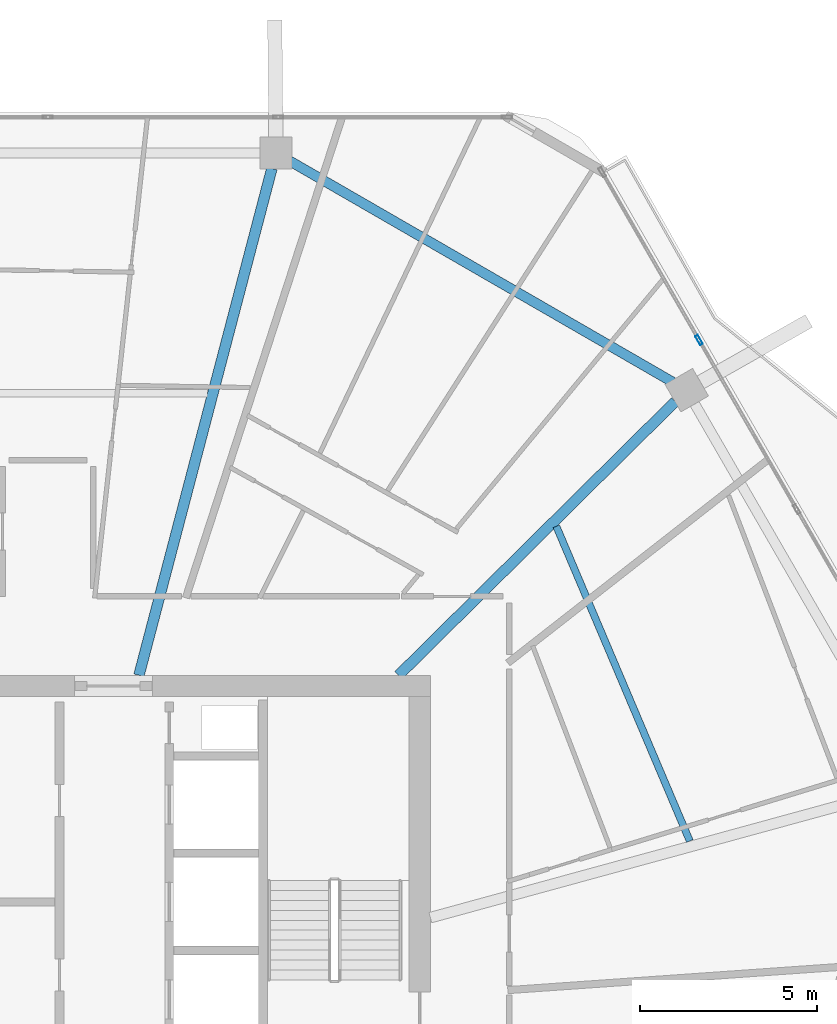
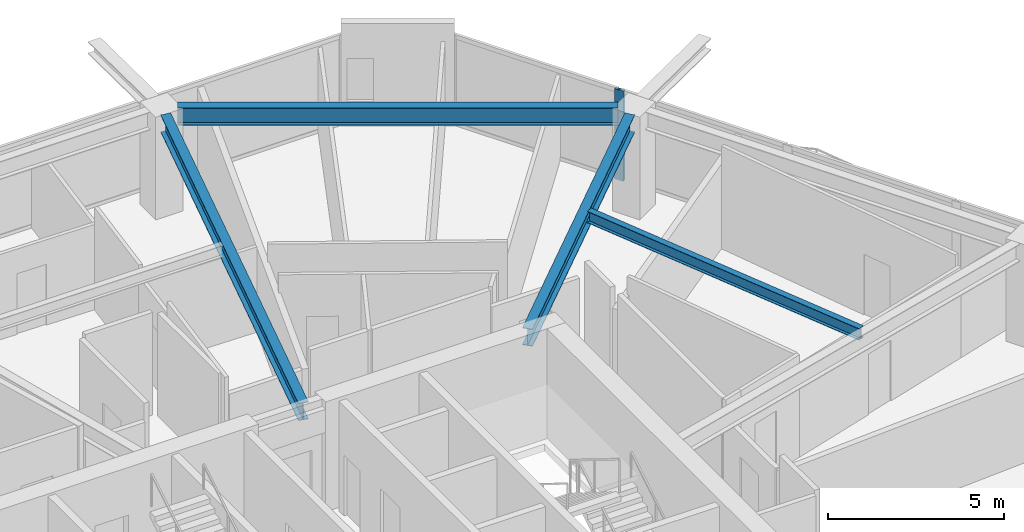
# One storey, part 14 of 26: 4 beams, 1 member, 1 element without a shape of its own.
"""IFC4 building model written with IfcOpenShell, lengths in metres."""

from ifc_helpers import new_model, si_unit, direction, frame, origin, origin_2d, place, context, subcontext, project, spatial, hollow_rectangle, i_section, extrude, material, material_profile, profile_set, type_object, element, aggregate, save


model = new_model("IFC4")

# Units and contexts
model_context = context("Model", 3, precision=1e-05, world=origin(), true_north=direction((0.0, 1.0)))
body_context = subcontext(model_context, "Body", "Model", "MODEL_VIEW")
ifc_project = project(units=[si_unit("LENGTHUNIT", "METRE"), si_unit("AREAUNIT", "SQUARE_METRE"), si_unit("VOLUMEUNIT", "CUBIC_METRE"), si_unit("PLANEANGLEUNIT", "RADIAN"), si_unit("MASSUNIT", "GRAM", prefix="KILO")], contexts=[model_context])

# Site, building, storey
site_placement = place(None, origin())
site = spatial("IfcSite", under=ifc_project, at=site_placement, CompositionType="ELEMENT")
building_placement = place(site_placement, origin())
building = spatial("IfcBuilding", under=site, at=building_placement, Name="Zuhravey Tower", CompositionType="ELEMENT")
storey_placement = place(building_placement, frame((0.0, 0.0, 250.199951171875)))
storey = spatial("IfcBuildingStorey", under=building, at=storey_placement, Name="L63", CompositionType="ELEMENT", Elevation=250.199951171875)

# Curtain wall, member
ifc_material_1 = material(Name="Thermally broken anodised aluminium", Category="aluminium")
curtain_wall_type = type_object("IfcCurtainWallType", Name="Zone 3-4 High-Rise Curtain Wall CW4", PredefinedType="NOTDEFINED", material=ifc_material_1)
curtain_wall_placement = place(storey_placement, origin())
curtain_wall = element("IfcCurtainWall", 1, at=curtain_wall_placement, inside=storey, type_object=curtain_wall_type, Name="L63 CW4 CW-L63-F1-1", PredefinedType="NOTDEFINED")
ifc_material_2 = material(Name="Anodised aluminium", Category="aluminium")
ifc_material_profile_1 = material_profile(ifc_material_2, hollow_rectangle(XDim=0.090087890625, YDim=0.284912109375, WallThickness=0.0048828125, at=origin_2d()), Name="ALU-RHS-90x285x5")
ifc_profile_set_1 = profile_set([ifc_material_profile_1], Name="Anodised aluminium")
member_type = type_object("IfcMemberType", Name="Curtain-Wall Mullion 90x180", PredefinedType="MULLION", material=ifc_profile_set_1)
member_placement = place(storey_placement, frame((54.392333984375, 51.270751953125, 0.0), z_axis=(0.0, 0.0, 1.0), x_axis=(0.866025688098, 0.499999507553, 0.0)))
member = element("IfcMember", 2, at=member_placement, type_object=member_type, Name="CW4 mullion 2", PredefinedType="MULLION", context=body_context, shape_type="SweptSolid", body=[
    extrude(hollow_rectangle(XDim=0.090087890625, YDim=0.284912109375, WallThickness=0.0048828125, at=origin_2d()), origin(), (0.0, 0.0, 1.0), 3.1220703125),
])
aggregate(curtain_wall, [member])

# Beams
ifc_material_3 = material(Name="Steel SM355", Category="steel")
ifc_material_profile_2 = material_profile(ifc_material_3, i_section(OverallWidth=0.280029296875, OverallDepth=0.6201171875, WebThickness=0.011962890625, FlangeThickness=0.02001953125, at=origin_2d()), Name="H-620x280x12x20")
ifc_profile_set_2 = profile_set([ifc_material_profile_2], Name="Steel SM355")
beam_type_1 = type_object("IfcBeamType", Name="Perimeter Ring Beam H620x280", PredefinedType="BEAM", material=ifc_profile_set_2)
beam_1_placement = place(storey_placement, frame((53.6513671875, 50.081298828125, 3.239990234375), z_axis=(-0.866025131093, 0.500000472315, 0.0), x_axis=(-0.500000472315, -0.866025131093, 0.0)))
element("IfcBeam", 3, at=beam_1_placement, inside=storey, type_object=beam_type_1, Name="L63 PB3 BM-L63-PB-02", PredefinedType="BEAM", context=body_context, shape_type="SweptSolid", body=[
    extrude(i_section(OverallWidth=0.280029296875, OverallDepth=0.6201171875, WebThickness=0.011962890625, FlangeThickness=0.02001953125, at=origin_2d()), origin(), (0.0, 0.0, 1.0), 12.49169921875),
])
ifc_material_profile_3 = material_profile(ifc_material_3, i_section(OverallWidth=0.300048828125, OverallDepth=0.60009765625, WebThickness=0.011962890625, FlangeThickness=0.02001953125, at=origin_2d()), Name="H-600x300x12x20")
ifc_profile_set_3 = profile_set([ifc_material_profile_3], Name="Steel SM355")
beam_type_2 = type_object("IfcBeamType", Name="Radial Primary Girder H600x300", PredefinedType="BEAM", material=ifc_profile_set_3)
beam_2_placement = place(storey_placement, frame((45.90673828125, 41.802978515625, 3.25), z_axis=(0.710816516282, 0.703377480576, 0.0), x_axis=(-0.703377480576, 0.710816516282, 0.0)))
element("IfcBeam", 4, at=beam_2_placement, inside=storey, type_object=beam_type_2, Name="L63 RG3 BM-L63-RAD-02", PredefinedType="BEAM", context=body_context, shape_type="SweptSolid", body=[
    extrude(i_section(OverallWidth=0.300048828125, OverallDepth=0.60009765625, WebThickness=0.011962890625, FlangeThickness=0.02001953125, at=origin_2d()), origin(), (0.0, 0.0, 1.0), 10.994384765625),
])
beam_3_placement = place(storey_placement, frame((38.571533203125, 41.802978515625, 3.25), z_axis=(0.253731415841, 0.967274712073, 0.0), x_axis=(-0.967274712073, 0.253731415841, 0.0)))
element("IfcBeam", 5, at=beam_3_placement, inside=storey, type_object=beam_type_2, Name="L63 RG3 BM-L63-RAD-03", PredefinedType="BEAM", context=body_context, shape_type="SweptSolid", body=[
    extrude(i_section(OverallWidth=0.300048828125, OverallDepth=0.60009765625, WebThickness=0.011962890625, FlangeThickness=0.02001953125, at=origin_2d()), origin(), (0.0, 0.0, 1.0), 14.796630859375),
])
ifc_material_profile_4 = material_profile(ifc_material_3, i_section(OverallWidth=0.199951171875, OverallDepth=0.39990234375, WebThickness=0.008056640625, FlangeThickness=0.012939453125, at=origin_2d()), Name="H-400x200x8x13")
ifc_profile_set_4 = profile_set([ifc_material_profile_4], Name="Steel SM355")
beam_type_3 = type_object("IfcBeamType", Name="Secondary Floor Joist H400x200", PredefinedType="JOIST", material=ifc_profile_set_4)
beam_4_placement = place(storey_placement, frame((54.130859375, 37.118896484375, 3.35009765625), z_axis=(-0.390413493754, 0.920639616731, 0.0), x_axis=(-0.920639616731, -0.390413493754, 0.0)))
element("IfcBeam", 6, at=beam_4_placement, inside=storey, type_object=beam_type_3, Name="L63 SJ2 BM-L63-SJ-01-1", PredefinedType="JOIST", context=body_context, shape_type="SweptSolid", body=[
    extrude(i_section(OverallWidth=0.199951171875, OverallDepth=0.39990234375, WebThickness=0.008056640625, FlangeThickness=0.012939453125, at=origin_2d()), origin(), (0.0, 0.0, 1.0), 9.656494140625),
])

save(model, "model.ifc")
